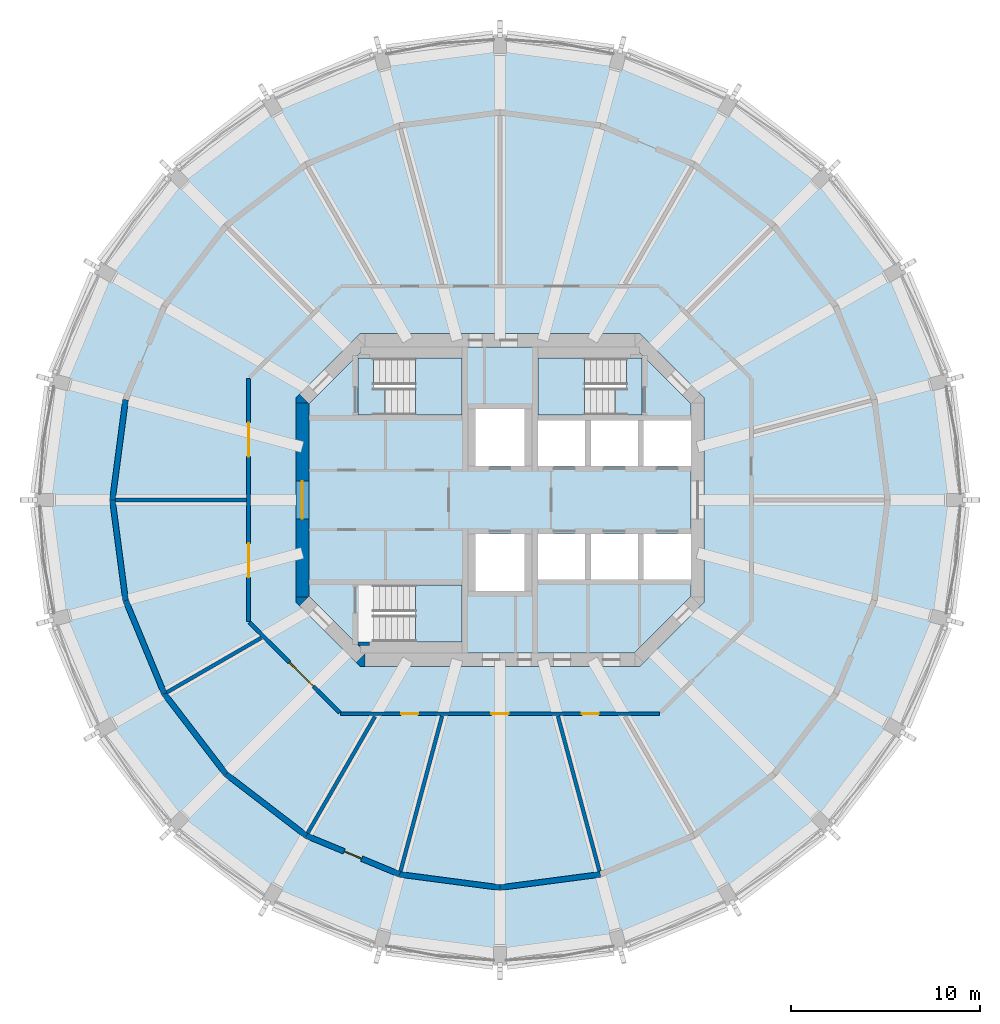
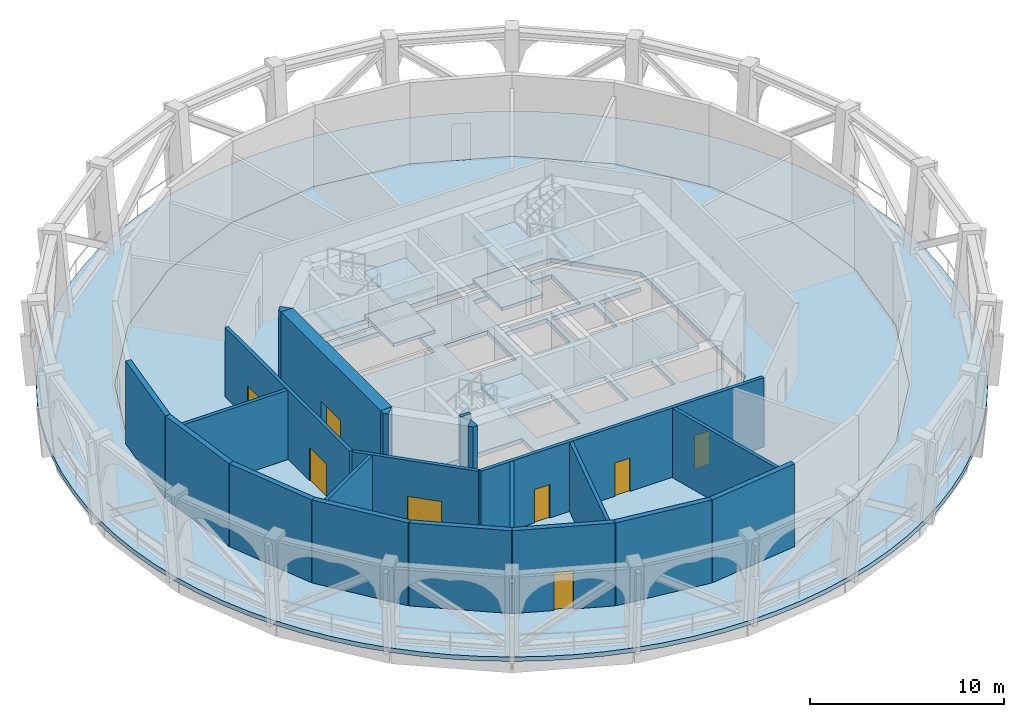
# One storey, part 3 of 9: 21 walls, 10 slabs, 8 doors, 8 openings, 3 elements without a shape of their own.
"""IFC4 building model written with IfcOpenShell, lengths in metres."""

from ifc_helpers import new_model, si_unit, direction, frame, frame_2d, origin, place, context, subcontext, project, spatial, polyline, rectangle, outline, extrude, material, layer, layer_set, type_object, element, fill, aggregate, save


model = new_model("IFC4")

# Units and contexts
model_context = context("Model", 3, precision=1e-05, world=origin(), true_north=direction((0.0, 1.0)))
body_context = subcontext(model_context, "Body", "Model", "MODEL_VIEW")
ifc_project = project(units=[si_unit("LENGTHUNIT", "METRE"), si_unit("AREAUNIT", "SQUARE_METRE"), si_unit("VOLUMEUNIT", "CUBIC_METRE"), si_unit("PLANEANGLEUNIT", "RADIAN"), si_unit("MASSUNIT", "GRAM", prefix="KILO")], contexts=[model_context])

# Site, building, storey
site_placement = place(None, origin())
site = spatial("IfcSite", under=ifc_project, at=site_placement, CompositionType="ELEMENT")
building_placement = place(site_placement, origin())
building = spatial("IfcBuilding", under=site, at=building_placement, Name="Torre Triforio", CompositionType="ELEMENT")
storey_placement = place(building_placement, frame((0.0, 0.0, 248.300048828125)))
storey = spatial("IfcBuildingStorey", under=building, at=storey_placement, Name="L57", CompositionType="ELEMENT", Elevation=248.300048828125)

# Slabs
ifc_material_1 = material(Name="Concrete C50", Category="concrete")
ifc_layer_1 = layer(ifc_material_1, 0.280029296875)
ifc_layer_set_1 = layer_set([ifc_layer_1], Name="Concrete C50")
slab_type_1 = type_object("IfcSlabType", Name="Core floor slab 280 mm C50 REI 120", PredefinedType="FLOOR", material=ifc_layer_set_1)
slab_1_placement = place(storey_placement, frame((0.0, 0.0, -0.280029296875)))
element("IfcSlab", 1, at=slab_1_placement, inside=storey, type_object=slab_type_1, Name="Core floor slab", PredefinedType="FLOOR", context=body_context, shape_type="SweptSolid", body=[
    extrude(outline(polyline([(10.10009765625, -5.10009765625), (7.10009765625, -8.10009765625), (-7.10009765625, -8.10009765625), (-10.10009765625, -5.10009765625), (-10.10009765625, 5.10009765625), (-7.10009765625, 8.10009765625), (7.10009765625, 8.10009765625), (10.10009765625, 5.10009765625), (10.10009765625, 4.199951171875), (7.60009765625, 4.199951171875), (7.60009765625, 1.800048828125), (10.10009765625, 1.800048828125), (10.10009765625, -1.800048828125), (7.60009765625, -1.800048828125), (7.60009765625, -4.199951171875), (10.10009765625, -4.199951171875), (10.10009765625, -5.10009765625)]), holes=[polyline([(-6.696044921875, -4.5), (-6.696044921875, -7.5), (-2.0, -7.5), (-2.0, -4.5), (-6.696044921875, -4.5)]), polyline([(-1.300048828125, -1.800048828125), (-1.300048828125, -4.800048828125), (1.300048828125, -4.800048828125), (1.300048828125, -1.800048828125), (-1.300048828125, -1.800048828125)]), polyline([(2.0, -1.800048828125), (2.0, -4.199951171875), (4.5, -4.199951171875), (4.5, -1.800048828125), (2.0, -1.800048828125)]), polyline([(4.5, 4.199951171875), (2.0, 4.199951171875), (2.0, 1.800048828125), (4.5, 1.800048828125), (4.5, 4.199951171875)]), polyline([(1.300048828125, 4.800048828125), (-1.300048828125, 4.800048828125), (-1.300048828125, 1.800048828125), (1.300048828125, 1.800048828125), (1.300048828125, 4.800048828125)]), polyline([(-6.696044921875, 7.5), (-6.696044921875, 4.5), (-2.0, 4.5), (-2.0, 7.5), (-6.696044921875, 7.5)]), polyline([(7.300048828125, -1.800048828125), (4.800048828125, -1.800048828125), (4.800048828125, -4.199951171875), (7.300048828125, -4.199951171875), (7.300048828125, -1.800048828125)]), polyline([(4.800048828125, 4.199951171875), (4.800048828125, 1.800048828125), (7.300048828125, 1.800048828125), (7.300048828125, 4.199951171875), (4.800048828125, 4.199951171875)]), polyline([(6.696044921875, 7.5), (2.0, 7.5), (2.0, 4.5), (6.696044921875, 4.5), (6.696044921875, 7.5)])]), origin(), (0.0, 0.0, 1.0), 0.280029296875),
])
ifc_material_2 = material(Name="Concrete C40", Category="concrete")
ifc_layer_2 = layer(ifc_material_2, 0.280029296875)
ifc_layer_set_2 = layer_set([ifc_layer_2], Name="Concrete C40")
slab_type_2 = type_object("IfcSlabType", Name="Floor slab 280 C40", PredefinedType="FLOOR", material=ifc_layer_set_2)
slab_2_placement = place(storey_placement, frame((0.0, 0.0, -0.280029296875)))
element("IfcSlab", 2, at=slab_2_placement, inside=storey, type_object=slab_type_2, Name="SL.L57", PredefinedType="FLOOR", context=body_context, shape_type="SweptSolid", body=[
    extrude(outline(polyline([(17.75341796875, -10.25), (19.801513671875, -5.305908203125), (20.5, 0.0), (19.801513671875, 5.305908203125), (17.75341796875, 10.25), (14.49560546875, 14.49560546875), (10.25, 17.75341796875), (5.305908203125, 19.801513671875), (0.0, 20.5), (-5.305908203125, 19.801513671875), (-10.25, 17.75341796875), (-14.49560546875, 14.49560546875), (-17.75341796875, 10.25), (-19.801513671875, 5.305908203125), (-20.5, 0.0), (-19.801513671875, -5.305908203125), (-17.75341796875, -10.25), (-14.49560546875, -14.49560546875), (-10.25, -17.75341796875), (-5.305908203125, -19.801513671875), (0.0, -20.5), (5.305908203125, -19.801513671875), (10.25, -17.75341796875), (14.49560546875, -14.49560546875), (17.75341796875, -10.25)]), holes=[polyline([(10.800048828125, 5.389892578125), (10.800048828125, -5.389892578125), (7.389892578125, -8.800048828125), (-7.389892578125, -8.800048828125), (-10.800048828125, -5.389892578125), (-10.800048828125, 5.389892578125), (-7.389892578125, 8.800048828125), (7.389892578125, 8.800048828125), (10.800048828125, 5.389892578125)])]), origin(), (0.0, 0.0, 1.0), 0.280029296875),
])
ifc_layer_3 = layer(ifc_material_2, 0.280029296875)
ifc_layer_set_3 = layer_set([ifc_layer_3], Name="Concrete C40")
slab_type_3 = type_object("IfcSlabType", Name="Loggia slab 280 C40", PredefinedType="FLOOR", material=ifc_layer_set_3)
slab_3_placement = place(storey_placement, frame((0.0, 0.0, -0.280029296875)))
element("IfcSlab", 3, at=slab_3_placement, inside=storey, type_object=slab_type_3, Name="SL.L57.LG", PredefinedType="FLOOR", context=body_context, shape_type="SweptSolid", body=[
    extrude(outline(polyline([(24.49755859375, -1.605712890625), (24.550048828125, 0.0), (24.49755859375, 1.605712890625), (24.340087890625, 3.204345703125), (24.078369140625, 4.78955078125), (23.71337890625, 6.35400390625), (23.2470703125, 7.891357421875), (22.68115234375, 9.394775390625), (22.018310546875, 10.858154296875), (21.260986328125, 12.27490234375), (20.41259765625, 13.63916015625), (19.476806640625, 14.945068359375), (18.457763671875, 16.18701171875), (17.359375, 17.359375), (16.18701171875, 18.457763671875), (14.945068359375, 19.476806640625), (13.63916015625, 20.41259765625), (12.27490234375, 21.260986328125), (10.858154296875, 22.018310546875), (9.394775390625, 22.68115234375), (7.891357421875, 23.2470703125), (6.35400390625, 23.71337890625), (4.78955078125, 24.078369140625), (3.204345703125, 24.340087890625), (1.605712890625, 24.49755859375), (0.0, 24.550048828125), (-1.605712890625, 24.49755859375), (-3.204345703125, 24.340087890625), (-4.78955078125, 24.078369140625), (-6.35400390625, 23.71337890625), (-7.891357421875, 23.2470703125), (-9.394775390625, 22.68115234375), (-10.858154296875, 22.018310546875), (-12.27490234375, 21.260986328125), (-13.63916015625, 20.41259765625), (-14.945068359375, 19.476806640625), (-16.18701171875, 18.457763671875), (-17.359375, 17.359375), (-18.457763671875, 16.18701171875), (-19.476806640625, 14.945068359375), (-20.41259765625, 13.63916015625), (-21.260986328125, 12.27490234375), (-22.018310546875, 10.858154296875), (-22.68115234375, 9.394775390625), (-23.2470703125, 7.891357421875), (-23.71337890625, 6.35400390625), (-24.078369140625, 4.78955078125), (-24.340087890625, 3.204345703125), (-24.49755859375, 1.605712890625), (-24.550048828125, 0.0), (-24.49755859375, -1.605712890625), (-24.340087890625, -3.204345703125), (-24.078369140625, -4.78955078125), (-23.71337890625, -6.35400390625), (-23.2470703125, -7.891357421875), (-22.68115234375, -9.394775390625), (-22.018310546875, -10.858154296875), (-21.260986328125, -12.27490234375), (-20.41259765625, -13.63916015625), (-19.476806640625, -14.945068359375), (-18.457763671875, -16.18701171875), (-17.359375, -17.359375), (-16.18701171875, -18.457763671875), (-14.945068359375, -19.476806640625), (-13.63916015625, -20.41259765625), (-12.27490234375, -21.260986328125), (-10.858154296875, -22.018310546875), (-9.394775390625, -22.68115234375), (-7.891357421875, -23.2470703125), (-6.35400390625, -23.71337890625), (-4.78955078125, -24.078369140625), (-3.204345703125, -24.340087890625), (-1.605712890625, -24.49755859375), (0.0, -24.550048828125), (1.605712890625, -24.49755859375), (3.204345703125, -24.340087890625), (4.78955078125, -24.078369140625), (6.35400390625, -23.71337890625), (7.891357421875, -23.2470703125), (9.394775390625, -22.68115234375), (10.858154296875, -22.018310546875), (12.27490234375, -21.260986328125), (13.63916015625, -20.41259765625), (14.945068359375, -19.476806640625), (16.18701171875, -18.457763671875), (17.359375, -17.359375), (18.457763671875, -16.18701171875), (19.476806640625, -14.945068359375), (20.41259765625, -13.63916015625), (21.260986328125, -12.27490234375), (22.018310546875, -10.858154296875), (22.68115234375, -9.394775390625), (23.2470703125, -7.891357421875), (23.71337890625, -6.35400390625), (24.078369140625, -4.78955078125), (24.340087890625, -3.204345703125), (24.49755859375, -1.605712890625)]), holes=[polyline([(19.801513671875, 5.305908203125), (20.5, 0.0), (19.801513671875, -5.305908203125), (17.75341796875, -10.25), (14.49560546875, -14.49560546875), (10.25, -17.75341796875), (5.305908203125, -19.801513671875), (0.0, -20.5), (-5.305908203125, -19.801513671875), (-10.25, -17.75341796875), (-14.49560546875, -14.49560546875), (-17.75341796875, -10.25), (-19.801513671875, -5.305908203125), (-20.5, 0.0), (-19.801513671875, 5.305908203125), (-17.75341796875, 10.25), (-14.49560546875, 14.49560546875), (-10.25, 17.75341796875), (-5.305908203125, 19.801513671875), (0.0, 20.5), (5.305908203125, 19.801513671875), (10.25, 17.75341796875), (14.49560546875, 14.49560546875), (17.75341796875, 10.25), (19.801513671875, 5.305908203125)])]), origin(), (0.0, 0.0, 1.0), 0.280029296875),
])

# Stair, slabs
stair_type = type_object("IfcStairType", Name="STAIR DOUBLE RETURN 320 GOING", PredefinedType="DOUBLE_RETURN_STAIR", material=ifc_material_2)
stair_1_placement = place(storey_placement, origin())
stair_1 = element("IfcStair", 4, at=stair_1_placement, inside=storey, type_object=stair_type, Name="Exit stair 1", PredefinedType="DOUBLE_RETURN_STAIR")
ifc_layer_4 = layer(ifc_material_2, 0.199951171875)
ifc_layer_set_4 = layer_set([ifc_layer_4], Name="Concrete C40")
slab_type_4 = type_object("IfcSlabType", Name="STAIR LANDING 200", PredefinedType="LANDING", material=ifc_layer_set_4)
slab_4_placement = place(storey_placement, frame((0.0, 0.0, 1.175048828125)))
slab_4 = element("IfcSlab", 5, at=slab_4_placement, type_object=slab_type_4, Name="ST1 landing 1", PredefinedType="LANDING", context=body_context, shape_type="SweptSolid", body=[
    extrude(outline(polyline([(-2.0, 4.5), (-2.0, 7.5), (-4.4599609375, 7.5), (-4.4599609375, 4.5), (-2.0, 4.5)])), origin(), (0.0, 0.0, 1.0), 0.199951171875),
])
slab_5_placement = place(storey_placement, frame((0.0, 0.0, 2.550048828125)))
slab_5 = element("IfcSlab", 6, at=slab_5_placement, type_object=slab_type_4, Name="ST1 landing 2", PredefinedType="LANDING", context=body_context, shape_type="SweptSolid", body=[
    extrude(outline(polyline([(-6.10009765625, 5.89990234375), (-6.10009765625, 4.5), (-6.696044921875, 4.5), (-6.699951171875, 4.5), (-7.5, 4.5), (-7.5, 7.5), (-6.696044921875, 7.5), (-6.696044921875, 5.89990234375), (-6.10009765625, 5.89990234375)])), origin(), (0.0, 0.0, 1.0), 0.199951171875),
])
slab_6_placement = place(storey_placement, frame((0.0, 0.0, 3.925048828125)))
slab_6 = element("IfcSlab", 7, at=slab_6_placement, type_object=slab_type_4, Name="ST1 landing 3", PredefinedType="LANDING", context=body_context, shape_type="SweptSolid", body=[
    extrude(outline(polyline([(-2.0, 4.5), (-2.0, 7.5), (-4.4599609375, 7.5), (-4.4599609375, 4.5), (-2.0, 4.5)])), origin(), (0.0, 0.0, 1.0), 0.199951171875),
])
aggregate(stair_1, [slab_4, slab_5, slab_6])

stair_2_placement = place(storey_placement, origin())
stair_2 = element("IfcStair", 8, at=stair_2_placement, inside=storey, type_object=stair_type, Name="Exit stair 2", PredefinedType="DOUBLE_RETURN_STAIR")
slab_7_placement = place(storey_placement, frame((0.0, 0.0, 1.175048828125)))
slab_7 = element("IfcSlab", 9, at=slab_7_placement, type_object=slab_type_4, Name="ST2 landing 1", PredefinedType="LANDING", context=body_context, shape_type="SweptSolid", body=[
    extrude(outline(polyline([(4.4599609375, 4.5), (4.4599609375, 7.5), (2.0, 7.5), (2.0, 4.5), (4.4599609375, 4.5)])), origin(), (0.0, 0.0, 1.0), 0.199951171875),
])
slab_8_placement = place(storey_placement, frame((0.0, 0.0, 2.550048828125)))
slab_8 = element("IfcSlab", 10, at=slab_8_placement, type_object=slab_type_4, Name="ST2 landing 2", PredefinedType="LANDING", context=body_context, shape_type="SweptSolid", body=[
    extrude(outline(polyline([(6.10009765625, 4.5), (6.10009765625, 5.89990234375), (6.696044921875, 5.89990234375), (6.696044921875, 7.5), (7.5, 7.5), (7.5, 4.5), (6.699951171875, 4.5), (6.696044921875, 4.5), (6.10009765625, 4.5)])), origin(), (0.0, 0.0, 1.0), 0.199951171875),
])
slab_9_placement = place(storey_placement, frame((0.0, 0.0, 3.925048828125)))
slab_9 = element("IfcSlab", 11, at=slab_9_placement, type_object=slab_type_4, Name="ST2 landing 3", PredefinedType="LANDING", context=body_context, shape_type="SweptSolid", body=[
    extrude(outline(polyline([(4.4599609375, 4.5), (4.4599609375, 7.5), (2.0, 7.5), (2.0, 4.5), (4.4599609375, 4.5)])), origin(), (0.0, 0.0, 1.0), 0.199951171875),
])
aggregate(stair_2, [slab_7, slab_8, slab_9])

# Stair, slab
stair_3_placement = place(storey_placement, origin())
stair_3 = element("IfcStair", 12, at=stair_3_placement, inside=storey, type_object=stair_type, Name="Exit stair 3", PredefinedType="DOUBLE_RETURN_STAIR")
slab_10_placement = place(storey_placement, frame((0.0, 0.0, 3.925048828125)))
slab_10 = element("IfcSlab", 13, at=slab_10_placement, type_object=slab_type_4, Name="ST3 landing 3", PredefinedType="LANDING", context=body_context, shape_type="SweptSolid", body=[
    extrude(outline(polyline([(-2.0, -7.5), (-2.0, -4.5), (-4.4599609375, -4.5), (-4.4599609375, -7.5), (-2.0, -7.5)])), origin(), (0.0, 0.0, 1.0), 0.199951171875),
])
aggregate(stair_3, [slab_10])

# Wall, opening, door
ifc_layer_5 = layer(ifc_material_1, 0.699951171875)
ifc_layer_set_5 = layer_set([ifc_layer_5], Name="Concrete C50")
wall_type_1 = type_object("IfcWallType", Name="Core wall 700 mm C50 EI 120", PredefinedType="SHEAR", material=ifc_layer_set_5)
wall_1_placement = place(storey_placement, frame((-10.449951171875, -5.1298828125, -0.280029296875), z_axis=(0.0, 0.0, 1.0), x_axis=(0.0, 1.0, 0.0)))
wall_1 = element("IfcWall", 14, at=wall_1_placement, inside=storey, type_object=wall_type_1, Name="Core wall", PredefinedType="SHEAR", context=body_context, shape_type="SweptSolid", body=[
    extrude(rectangle(XDim=10.259765625, YDim=0.699951171875, at=frame_2d((5.1298828125, 0.0))), origin(), (0.0, 0.0, 1.0), 5.5),
])
opening_1_placement = place(wall_1_placement, frame((4.1298828125, 0.0, 0.280029296875)))
opening_1 = element("IfcOpeningElement", 15, at=opening_1_placement, cuts=wall_1, Name="Opening W-RING", PredefinedType="OPENING", context=body_context, shape_type="SweptSolid", body=[
    extrude(rectangle(XDim=2.0, YDim=2.10009765625, at=frame_2d((1.0, 1.050048828125))), frame((0.0, 0.35986328125, 0.0), z_axis=(0.0, -1.0, 0.0), x_axis=(1.0, 0.0, 0.0)), (0.0, 0.0, 1.0), 0.719970703125),
])
ifc_material_3 = material(Name="Hollow metal fire door leaf")
door_type_1 = type_object("IfcDoorType", Name="Lobby door 2000 x 2100 EI 60", OperationType="DOUBLE_DOOR_SINGLE_SWING", PredefinedType="DOOR", material=ifc_material_3)
door_1_placement = place(opening_1_placement, origin())
door_1 = element("IfcDoor", 16, at=door_1_placement, inside=storey, type_object=door_type_1, Name="Core door W-RING", OperationType="DOUBLE_DOOR_SINGLE_SWING", OverallHeight=2.10009765625, OverallWidth=2.0, PredefinedType="DOOR", context=body_context, shape_type="SweptSolid", body=[
    extrude(rectangle(XDim=2.0, YDim=2.10009765625, at=frame_2d((1.0, 1.050048828125))), frame((0.0, 0.02490234375, 0.0), z_axis=(0.0, -1.0, 0.0), x_axis=(1.0, 0.0, 0.0)), (0.0, 0.0, 1.0), 0.050048828125),
])
fill(opening_1, door_1)

# Walls
wall_2_placement = place(storey_placement, frame((0.0, 0.0, -0.280029296875)))
element("IfcWall", 17, at=wall_2_placement, inside=storey, type_object=wall_type_1, Name="Core wall", PredefinedType="SHEAR", context=body_context, shape_type="SweptSolid", body=[
    extrude(outline(polyline([(-7.389892578125, -8.800048828125), (-7.594970703125, -8.594970703125), (-7.594970703125, -8.594970703125), (-7.594970703125, -8.594970703125), (-7.1298828125, -8.1298828125), (-7.1298828125, -8.800048828125), (-7.1298828125, -8.800048828125), (-7.389892578125, -8.800048828125)])), origin(), (0.0, 0.0, 1.0), 5.5),
])
wall_3_placement = place(storey_placement, frame((0.0, 0.0, -0.280029296875)))
element("IfcWall", 18, at=wall_3_placement, inside=storey, type_object=wall_type_1, Name="Core wall", PredefinedType="SHEAR", context=body_context, shape_type="SweptSolid", body=[
    extrude(outline(polyline([(-10.800048828125, -5.389892578125), (-10.800048828125, -5.1298828125), (-10.800048828125, -5.1298828125), (-10.1298828125, -5.1298828125), (-10.594970703125, -5.594970703125), (-10.594970703125, -5.594970703125), (-10.594970703125, -5.594970703125), (-10.800048828125, -5.389892578125)])), origin(), (0.0, 0.0, 1.0), 5.5),
])
wall_4_placement = place(storey_placement, frame((0.0, 0.0, -0.280029296875)))
element("IfcWall", 19, at=wall_4_placement, inside=storey, type_object=wall_type_1, Name="Core wall", PredefinedType="SHEAR", context=body_context, shape_type="SweptSolid", body=[
    extrude(outline(polyline([(-10.594970703125, 5.594970703125), (-10.594970703125, 5.594970703125), (-10.594970703125, 5.594970703125), (-10.1298828125, 5.1298828125), (-10.800048828125, 5.1298828125), (-10.800048828125, 5.1298828125), (-10.800048828125, 5.389892578125), (-10.594970703125, 5.594970703125)])), origin(), (0.0, 0.0, 1.0), 5.5),
])
ifc_material_4 = material(Name="Aluminium louvre blades", Category="aluminium")
ifc_layer_6 = layer(ifc_material_4, 0.300048828125)
ifc_layer_set_6 = layer_set([ifc_layer_6], Name="Aluminium louvre blades")
wall_type_2 = type_object("IfcWallType", Name="Louvred enclosure wall 300", PredefinedType="STANDARD", material=ifc_layer_set_6)
for number, where, z_axis, x_axis, name in (
    (20, (-19.801513671875, 5.305908203125, 0.0), (0.0, 0.0, 1.0), (-0.130517056518, -0.991446064069, 0.0), "Louvred enclosure L57 bay 12"),
    (21, (-20.5, 0.0, 0.0), (0.0, 0.0, 1.0), (0.130517056518, -0.991446064069, 0.0), "Louvred enclosure L57 bay 13"),
):
    element("IfcWall", number, at=place(storey_placement, frame(where, z_axis=z_axis, x_axis=x_axis)), inside=storey, type_object=wall_type_2, Name=name, PredefinedType="STANDARD", context=body_context, shape_type="SweptSolid", body=[
        extrude(rectangle(XDim=5.351806640625, YDim=0.300048828125, at=frame_2d((2.67578125, 0.0))), origin(), (0.0, 0.0, 1.0), 5.219970703125),
    ])
for number, where, z_axis, x_axis, name in (
    (22, (-19.801513671875, -5.305908203125, 0.0), (0.0, 0.0, 1.0), (0.382713071139, -0.923867255172, 0.0), "Louvred enclosure L57 bay 14"),
    (23, (-17.75341796875, -10.25, 0.0), (0.0, 0.0, 1.0), (0.60876670321, -0.793349293227, 0.0), "Louvred enclosure L57 bay 15"),
    (24, (-14.49560546875, -14.49560546875, 0.0), (0.0, 0.0, 1.0), (0.793349293227, -0.60876670321, 0.0), "Louvred enclosure L57 bay 16"),
):
    element("IfcWall", number, at=place(storey_placement, frame(where, z_axis=z_axis, x_axis=x_axis)), inside=storey, type_object=wall_type_2, Name=name, PredefinedType="STANDARD", context=body_context, shape_type="SweptSolid", body=[
        extrude(rectangle(XDim=5.3515625, YDim=0.300048828125, at=frame_2d((2.67578125, 0.0))), origin(), (0.0, 0.0, 1.0), 5.219970703125),
    ])

# Wall, opening, door
wall_5_placement = place(storey_placement, frame((-10.25, -17.75341796875, 0.0), z_axis=(0.0, 0.0, 1.0), x_axis=(0.923867255172, -0.382713071139, 0.0)))
wall_5 = element("IfcWall", 25, at=wall_5_placement, inside=storey, type_object=wall_type_2, Name="Louvred enclosure L57 bay 17", PredefinedType="STANDARD", context=body_context, shape_type="SweptSolid", body=[
    extrude(rectangle(XDim=5.3515625, YDim=0.300048828125, at=frame_2d((2.67578125, 0.0))), origin(), (0.0, 0.0, 1.0), 5.219970703125),
])
opening_2_placement = place(wall_5_placement, frame((2.17578125, 0.0, 0.0)))
opening_2 = element("IfcOpeningElement", 26, at=opening_2_placement, cuts=wall_5, Name="Opening PL3-D17", PredefinedType="OPENING", context=body_context, shape_type="SweptSolid", body=[
    extrude(rectangle(XDim=1.0, YDim=2.39990234375, at=frame_2d((0.5, 1.199951171875))), frame((0.0, 0.159912109375, 0.0), z_axis=(0.0, -1.0, 0.0), x_axis=(1.0, 0.0, 0.0)), (0.0, 0.0, 1.0), 0.320068359375),
])
ifc_material_5 = material(Name="Galvanised hollow metal louvred door")
door_type_2 = type_object("IfcDoorType", Name="Deck service door 1000 x 2400", OperationType="NOTDEFINED", PredefinedType="DOOR", material=ifc_material_5)
door_2_placement = place(opening_2_placement, origin())
door_2 = element("IfcDoor", 27, at=door_2_placement, inside=storey, type_object=door_type_2, Name="Deck service door L57 bay 17", OperationType="SINGLE_SWING_LEFT", OverallHeight=2.39990234375, OverallWidth=1.0, PredefinedType="DOOR", context=body_context, shape_type="SweptSolid", body=[
    extrude(rectangle(XDim=1.0, YDim=2.39990234375, at=frame_2d((0.5, 1.199951171875))), frame((0.0, 0.02490234375, 0.0), z_axis=(0.0, -1.0, 0.0), x_axis=(1.0, 0.0, 0.0)), (0.0, 0.0, 1.0), 0.050048828125),
])
fill(opening_2, door_2)

# Walls
for number, where, z_axis, x_axis, name in (
    (28, (-5.305908203125, -19.801513671875, 0.0), (0.0, 0.0, 1.0), (0.991446064069, -0.130517056518, 0.0), "Louvred enclosure L57 bay 18"),
    (29, (0.0, -20.5, 0.0), (0.0, 0.0, 1.0), (0.991446064069, 0.130517056518, 0.0), "Louvred enclosure L57 bay 19"),
):
    element("IfcWall", number, at=place(storey_placement, frame(where, z_axis=z_axis, x_axis=x_axis)), inside=storey, type_object=wall_type_2, Name=name, PredefinedType="STANDARD", context=body_context, shape_type="SweptSolid", body=[
        extrude(rectangle(XDim=5.351806640625, YDim=0.300048828125, at=frame_2d((2.67578125, 0.0))), origin(), (0.0, 0.0, 1.0), 5.219970703125),
    ])

# Wall, openings, doors
ifc_material_6 = material(Name="Masonry block", Category="masonry")
ifc_layer_7 = layer(ifc_material_6, 0.199951171875)
ifc_layer_set_7 = layer_set([ifc_layer_7], Name="Masonry block")
wall_type_3 = type_object("IfcWallType", Name="Plant room wall 200 mm block EI 120", PredefinedType="PARTITIONING", material=ifc_layer_set_7)
wall_6_placement = place(storey_placement, frame((8.425537109375, -11.300048828125, 0.0), z_axis=(0.0, 0.0, 1.0), x_axis=(-1.0, 0.0, 0.0)))
wall_6 = element("IfcWall", 30, at=wall_6_placement, inside=storey, type_object=wall_type_3, Name="Partition 2", PredefinedType="PARTITIONING", context=body_context, shape_type="SweptSolid", body=[
    extrude(rectangle(XDim=16.85107421875, YDim=0.199951171875, at=frame_2d((8.425537109375, 0.0))), origin(), (0.0, 0.0, 1.0), 4.369873046875),
])
opening_3_placement = place(wall_6_placement, frame((12.75537109375, 0.0, 0.0)))
opening_3 = element("IfcOpeningElement", 31, at=opening_3_placement, cuts=wall_6, Name="Opening PL3-04", PredefinedType="OPENING", context=body_context, shape_type="SweptSolid", body=[
    extrude(rectangle(XDim=0.89990234375, YDim=2.10009765625, at=frame_2d((0.449951171875, 1.050048828125))), frame((0.0, 0.10986328125, 0.0), z_axis=(0.0, -1.0, 0.0), x_axis=(1.0, 0.0, 0.0)), (0.0, 0.0, 1.0), 0.219970703125),
])
opening_4_placement = place(wall_6_placement, frame((7.9755859375, 0.0, 0.0)))
opening_4 = element("IfcOpeningElement", 32, at=opening_4_placement, cuts=wall_6, Name="Opening PL3-05", PredefinedType="OPENING", context=body_context, shape_type="SweptSolid", body=[
    extrude(rectangle(XDim=0.89990234375, YDim=2.10009765625, at=frame_2d((0.449951171875, 1.050048828125))), frame((0.0, 0.10986328125, 0.0), z_axis=(0.0, -1.0, 0.0), x_axis=(1.0, 0.0, 0.0)), (0.0, 0.0, 1.0), 0.219970703125),
])
opening_5_placement = place(wall_6_placement, frame((3.195556640625, 0.0, 0.0)))
opening_5 = element("IfcOpeningElement", 33, at=opening_5_placement, cuts=wall_6, Name="Opening PL3-06", PredefinedType="OPENING", context=body_context, shape_type="SweptSolid", body=[
    extrude(rectangle(XDim=0.89990234375, YDim=2.10009765625, at=frame_2d((0.449951171875, 1.050048828125))), frame((0.0, 0.10986328125, 0.0), z_axis=(0.0, -1.0, 0.0), x_axis=(1.0, 0.0, 0.0)), (0.0, 0.0, 1.0), 0.219970703125),
])
door_type_3 = type_object("IfcDoorType", Name="Door 900 x 2100 single leaf EI 60", OperationType="NOTDEFINED", PredefinedType="DOOR", material=ifc_material_3)
door_3_placement = place(opening_3_placement, origin())
door_3 = element("IfcDoor", 34, at=door_3_placement, inside=storey, type_object=door_type_3, Name="Door PL3-04", OperationType="SINGLE_SWING_LEFT", OverallHeight=2.10009765625, OverallWidth=0.89990234375, PredefinedType="DOOR", context=body_context, shape_type="SweptSolid", body=[
    extrude(rectangle(XDim=0.89990234375, YDim=2.10009765625, at=frame_2d((0.449951171875, 1.050048828125))), frame((0.0, 0.02490234375, 0.0), z_axis=(0.0, -1.0, 0.0), x_axis=(1.0, 0.0, 0.0)), (0.0, 0.0, 1.0), 0.050048828125),
])
fill(opening_3, door_3)
door_4_placement = place(opening_4_placement, origin())
door_4 = element("IfcDoor", 35, at=door_4_placement, inside=storey, type_object=door_type_3, Name="Door PL3-05", OperationType="SINGLE_SWING_LEFT", OverallHeight=2.10009765625, OverallWidth=0.89990234375, PredefinedType="DOOR", context=body_context, shape_type="SweptSolid", body=[
    extrude(rectangle(XDim=0.89990234375, YDim=2.10009765625, at=frame_2d((0.449951171875, 1.050048828125))), frame((0.0, 0.02490234375, 0.0), z_axis=(0.0, -1.0, 0.0), x_axis=(1.0, 0.0, 0.0)), (0.0, 0.0, 1.0), 0.050048828125),
])
fill(opening_4, door_4)
door_5_placement = place(opening_5_placement, origin())
door_5 = element("IfcDoor", 36, at=door_5_placement, inside=storey, type_object=door_type_3, Name="Door PL3-06", OperationType="SINGLE_SWING_LEFT", OverallHeight=2.10009765625, OverallWidth=0.89990234375, PredefinedType="DOOR", context=body_context, shape_type="SweptSolid", body=[
    extrude(rectangle(XDim=0.89990234375, YDim=2.10009765625, at=frame_2d((0.449951171875, 1.050048828125))), frame((0.0, 0.02490234375, 0.0), z_axis=(0.0, -1.0, 0.0), x_axis=(1.0, 0.0, 0.0)), (0.0, 0.0, 1.0), 0.050048828125),
])
fill(opening_5, door_5)

# Wall, opening, door
wall_7_placement = place(storey_placement, frame((-8.47509765625, -11.25048828125, 0.0), z_axis=(0.0, 0.0, 1.0), x_axis=(-0.707106781187, 0.707106781187, 0.0)))
wall_7 = element("IfcWall", 37, at=wall_7_placement, inside=storey, type_object=wall_type_3, Name="Partition 3", PredefinedType="PARTITIONING", context=body_context, shape_type="SweptSolid", body=[
    extrude(rectangle(XDim=6.75341796875, YDim=0.199951171875, at=frame_2d((3.376708984375, 0.0))), origin(), (0.0, 0.0, 1.0), 4.369873046875),
])
opening_6_placement = place(wall_7_placement, frame((1.975830078125, 0.0, 0.0)))
opening_6 = element("IfcOpeningElement", 38, at=opening_6_placement, cuts=wall_7, Name="Opening PL3-03", PredefinedType="OPENING", context=body_context, shape_type="SweptSolid", body=[
    extrude(rectangle(XDim=1.800048828125, YDim=2.10009765625, at=frame_2d((0.89990234375, 1.050048828125))), frame((0.0, 0.10986328125, 0.0), z_axis=(0.0, -1.0, 0.0), x_axis=(1.0, 0.0, 0.0)), (0.0, 0.0, 1.0), 0.219970703125),
])
door_type_4 = type_object("IfcDoorType", Name="Door 1800 x 2100 double leaf EI 60", OperationType="DOUBLE_DOOR_SINGLE_SWING", PredefinedType="DOOR", material=ifc_material_3)
door_6_placement = place(opening_6_placement, origin())
door_6 = element("IfcDoor", 39, at=door_6_placement, inside=storey, type_object=door_type_4, Name="Door PL3-03", OperationType="DOUBLE_DOOR_SINGLE_SWING", OverallHeight=2.10009765625, OverallWidth=1.800048828125, PredefinedType="DOOR", context=body_context, shape_type="SweptSolid", body=[
    extrude(rectangle(XDim=1.800048828125, YDim=2.10009765625, at=frame_2d((0.89990234375, 1.050048828125))), frame((0.0, 0.02490234375, 0.0), z_axis=(0.0, -1.0, 0.0), x_axis=(1.0, 0.0, 0.0)), (0.0, 0.0, 1.0), 0.050048828125),
])
fill(opening_6, door_6)

# Wall, openings, doors
wall_8_placement = place(storey_placement, frame((-13.300048828125, -6.425537109375, 0.0), z_axis=(0.0, 0.0, 1.0), x_axis=(0.0, 1.0, 0.0)))
wall_8 = element("IfcWall", 40, at=wall_8_placement, inside=storey, type_object=wall_type_3, Name="Partition 4", PredefinedType="PARTITIONING", context=body_context, shape_type="SweptSolid", body=[
    extrude(rectangle(XDim=12.85107421875, YDim=0.199951171875, at=frame_2d((6.425537109375, 0.0))), origin(), (0.0, 0.0, 1.0), 4.369873046875),
])
opening_7_placement = place(wall_8_placement, frame((8.713134765625, 0.0, 0.0)))
opening_7 = element("IfcOpeningElement", 41, at=opening_7_placement, cuts=wall_8, Name="Opening PL3-01", PredefinedType="OPENING", context=body_context, shape_type="SweptSolid", body=[
    extrude(rectangle(XDim=1.800048828125, YDim=2.10009765625, at=frame_2d((0.89990234375, 1.050048828125))), frame((0.0, 0.10986328125, 0.0), z_axis=(0.0, -1.0, 0.0), x_axis=(1.0, 0.0, 0.0)), (0.0, 0.0, 1.0), 0.219970703125),
])
opening_8_placement = place(wall_8_placement, frame((2.337646484375, 0.0, 0.0)))
opening_8 = element("IfcOpeningElement", 42, at=opening_8_placement, cuts=wall_8, Name="Opening PL3-02", PredefinedType="OPENING", context=body_context, shape_type="SweptSolid", body=[
    extrude(rectangle(XDim=1.800048828125, YDim=2.10009765625, at=frame_2d((0.89990234375, 1.050048828125))), frame((0.0, 0.10986328125, 0.0), z_axis=(0.0, -1.0, 0.0), x_axis=(1.0, 0.0, 0.0)), (0.0, 0.0, 1.0), 0.219970703125),
])
door_7_placement = place(opening_7_placement, origin())
door_7 = element("IfcDoor", 43, at=door_7_placement, inside=storey, type_object=door_type_4, Name="Door PL3-01", OperationType="DOUBLE_DOOR_SINGLE_SWING", OverallHeight=2.10009765625, OverallWidth=1.800048828125, PredefinedType="DOOR", context=body_context, shape_type="SweptSolid", body=[
    extrude(rectangle(XDim=1.800048828125, YDim=2.10009765625, at=frame_2d((0.89990234375, 1.050048828125))), frame((0.0, 0.02490234375, 0.0), z_axis=(0.0, -1.0, 0.0), x_axis=(1.0, 0.0, 0.0)), (0.0, 0.0, 1.0), 0.050048828125),
])
fill(opening_7, door_7)
door_8_placement = place(opening_8_placement, origin())
door_8 = element("IfcDoor", 44, at=door_8_placement, inside=storey, type_object=door_type_4, Name="Door PL3-02", OperationType="DOUBLE_DOOR_SINGLE_SWING", OverallHeight=2.10009765625, OverallWidth=1.800048828125, PredefinedType="DOOR", context=body_context, shape_type="SweptSolid", body=[
    extrude(rectangle(XDim=1.800048828125, YDim=2.10009765625, at=frame_2d((0.89990234375, 1.050048828125))), frame((0.0, 0.02490234375, 0.0), z_axis=(0.0, -1.0, 0.0), x_axis=(1.0, 0.0, 0.0)), (0.0, 0.0, 1.0), 0.050048828125),
])
fill(opening_8, door_8)

# Walls
wall_9_placement = place(storey_placement, frame((-13.39990234375, 0.0, 0.0), z_axis=(0.0, 0.0, 1.0), x_axis=(-1.0, 0.0, 0.0)))
element("IfcWall", 45, at=wall_9_placement, inside=storey, type_object=wall_type_3, Name="Partition 17", PredefinedType="PARTITIONING", context=body_context, shape_type="SweptSolid", body=[
    extrude(rectangle(XDim=6.936767578125, YDim=0.199951171875, at=frame_2d((3.46826171875, 0.0))), origin(), (0.0, 0.0, 1.0), 4.369873046875),
])
wall_10_placement = place(storey_placement, frame((-12.617919921875, -7.284912109375, 0.0), z_axis=(0.0, 0.0, 1.0), x_axis=(-0.866012151579, -0.500022952791, 0.0)))
element("IfcWall", 46, at=wall_10_placement, inside=storey, type_object=wall_type_3, Name="Partition 18", PredefinedType="PARTITIONING", context=body_context, shape_type="SweptSolid", body=[
    extrude(rectangle(XDim=5.766845703125, YDim=0.199951171875, at=frame_2d((2.88330078125, 0.0))), origin(), (0.0, 0.0, 1.0), 4.369873046875),
])
wall_11_placement = place(storey_placement, frame((-6.6103515625, -11.449462890625, 0.0), z_axis=(0.0, 0.0, 1.0), x_axis=(-0.500013496215, -0.866017611601, 0.0)))
element("IfcWall", 47, at=wall_11_placement, inside=storey, type_object=wall_type_3, Name="Partition 19", PredefinedType="PARTITIONING", context=body_context, shape_type="SweptSolid", body=[
    extrude(rectangle(XDim=7.115966796875, YDim=0.199951171875, at=frame_2d((3.55810546875, 0.0))), origin(), (0.0, 0.0, 1.0), 4.369873046875),
])
for number, where, z_axis, x_axis, name in (
    (48, (-3.0615234375, -11.425537109375, 0.0), (0.0, 0.0, 1.0), (-0.258800151074, -0.965930888731, 0.0), "Partition 20"),
    (49, (3.0615234375, -11.425537109375, 0.0), (0.0, 0.0, 1.0), (0.258800151074, -0.965930888731, 0.0), "Partition 21"),
):
    element("IfcWall", number, at=place(storey_placement, frame(where, z_axis=z_axis, x_axis=x_axis)), inside=storey, type_object=wall_type_3, Name=name, PredefinedType="PARTITIONING", context=body_context, shape_type="SweptSolid", body=[
        extrude(rectangle(XDim=8.508056640625, YDim=0.199951171875, at=frame_2d((4.25390625, 0.0))), origin(), (0.0, 0.0, 1.0), 4.369873046875),
    ])
ifc_layer_8 = layer(ifc_material_1, 0.199951171875)
ifc_layer_set_8 = layer_set([ifc_layer_8], Name="Concrete C50")
wall_type_4 = type_object("IfcWallType", Name="Stair wall 200 mm C50 EI 120", PredefinedType="SHEAR", material=ifc_layer_set_8)
wall_12_placement = place(storey_placement, frame((-7.5, -7.60009765625, 0.0), z_axis=(0.0, 0.0, 1.0), x_axis=(1.0, 0.0, 0.0)))
element("IfcWall", 50, at=wall_12_placement, inside=storey, type_object=wall_type_4, Name="Stair wall", PredefinedType="SHEAR", context=body_context, shape_type="SweptSolid", body=[
    extrude(rectangle(XDim=0.60009765625, YDim=0.199951171875, at=frame_2d((0.300048828125, 0.0))), origin(), (0.0, 0.0, 1.0), 5.219970703125),
])

save(model, "model.ifc")
